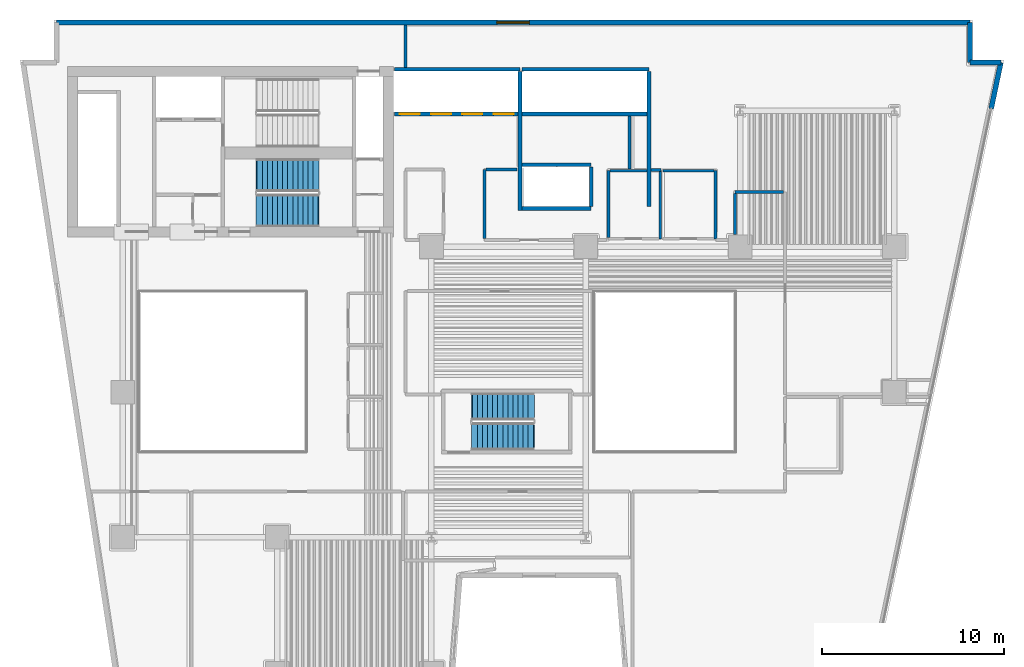
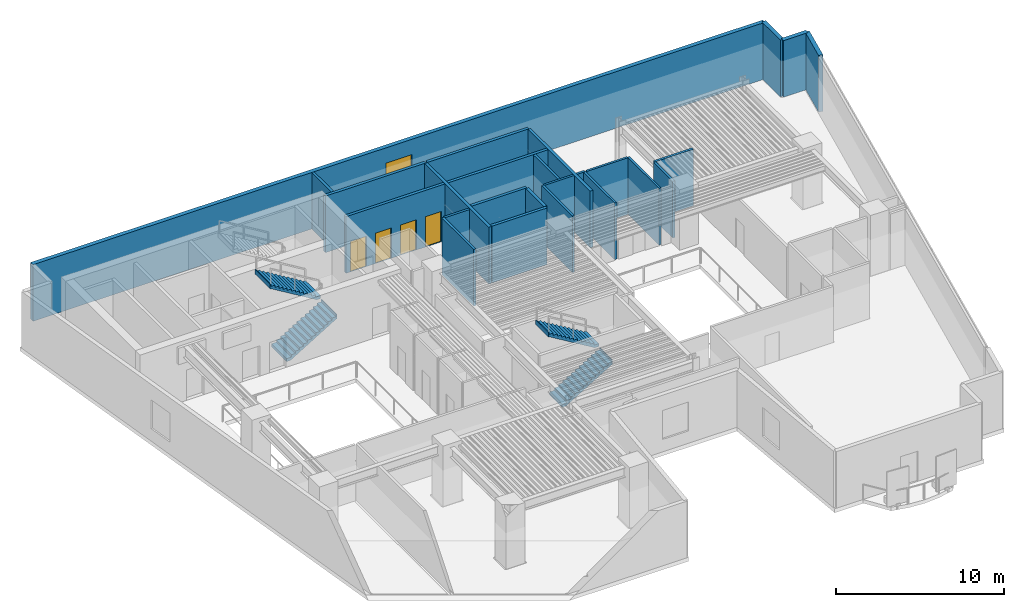
# One storey, part 6 of 12: 25 walls, 4 doors, 4 stair flights, 1 window, 5 openings, 2 elements without a shape of their own.
"""IFC4 building model written with IfcOpenShell, lengths in metres."""

from ifc_helpers import new_model, si_unit, direction, frame, frame_2d, origin, place, context, subcontext, project, spatial, polyline, rectangle, outline, extrude, material, layer, layer_set, type_object, element, fill, aggregate, save


model = new_model("IFC4")

# Units and contexts
model_context = context("Model", 3, precision=1e-05, world=origin(), true_north=direction((0.0, 1.0)))
body_context = subcontext(model_context, "Body", "Model", "MODEL_VIEW")
ifc_project = project(units=[si_unit("LENGTHUNIT", "METRE"), si_unit("AREAUNIT", "SQUARE_METRE"), si_unit("VOLUMEUNIT", "CUBIC_METRE"), si_unit("PLANEANGLEUNIT", "RADIAN"), si_unit("MASSUNIT", "GRAM", prefix="KILO")], contexts=[model_context])

# Site, building, storey
site_placement = place(None, origin())
site = spatial("IfcSite", under=ifc_project, at=site_placement, CompositionType="ELEMENT")
building_placement = place(site_placement, origin())
building = spatial("IfcBuilding", under=site, at=building_placement, Name="Caeloran Harvest Quay", CompositionType="ELEMENT")
storey_placement = place(building_placement, frame((0.0, 0.0, 97.39990234375)))
storey = spatial("IfcBuildingStorey", under=building, at=storey_placement, Name="L22", CompositionType="ELEMENT", Elevation=97.39990234375)

# Wall, opening, window
ifc_material_1 = material(Name="Precast concrete C50/60", Category="concrete")
ifc_layer_1 = layer(ifc_material_1, 0.280029296875, Name="Precast concrete C50/60")
ifc_layer_set_1 = layer_set([ifc_layer_1], Name="Precast concrete C50/60")
wall_type_1 = type_object("IfcWallType", Name="ENV-WALL-EW-280", PredefinedType="STANDARD", material=ifc_layer_set_1)
wall_1_placement = place(storey_placement, frame((4.840087890625, 43.360107421875, 0.0), z_axis=(0.0, 0.0, 1.0), x_axis=(1.0, 0.0, 0.0)))
wall_1 = element("IfcWall", 1, at=wall_1_placement, inside=storey, type_object=wall_type_1, Name="L22 Exterior Precast Concrete Facade Wall 6", PredefinedType="STANDARD", context=body_context, shape_type="SweptSolid", body=[
    extrude(rectangle(XDim=50.31982421875, YDim=0.280029296875, at=frame_2d((25.159912109375, 0.0))), origin(), (0.0, 0.0, 1.0), 4.114990234375),
])
opening_1_placement = place(wall_1_placement, frame((24.260009765625, 0.0, 0.89990234375)))
opening_1 = element("IfcOpeningElement", 2, at=opening_1_placement, cuts=wall_1, Name="Opening W-01", PredefinedType="OPENING", context=body_context, shape_type="SweptSolid", body=[
    extrude(rectangle(XDim=1.800048828125, YDim=2.10009765625, at=frame_2d((0.89990234375, 1.050048828125))), frame((0.0, 0.14990234375, 0.0), z_axis=(0.0, -1.0, 0.0), x_axis=(1.0, 0.0, 0.0)), (0.0, 0.0, 1.0), 0.300048828125),
])
ifc_material_2 = material(Name="Aluminium-Framed Low-E Laminated Glass", Category="aluminium")
window_type = type_object("IfcWindowType", Name="WIN-W-01", PartitioningType="SINGLE_PANEL", PredefinedType="WINDOW", material=ifc_material_2)
window_placement = place(opening_1_placement, origin())
window = element("IfcWindow", 3, at=window_placement, inside=storey, type_object=window_type, Name="L22 Facade Punched Window W-01", OverallHeight=2.10009765625, OverallWidth=1.800048828125, PartitioningType="SINGLE_PANEL", PredefinedType="WINDOW", context=body_context, shape_type="SweptSolid", body=[
    extrude(rectangle(XDim=1.800048828125, YDim=2.10009765625, at=frame_2d((0.89990234375, 1.050048828125))), frame((0.0, 0.030029296875, 0.0), z_axis=(0.0, -1.0, 0.0), x_axis=(1.0, 0.0, 0.0)), (0.0, 0.0, 1.0), 0.06005859375),
])
fill(opening_1, window)

# Walls
wall_2_placement = place(storey_placement, frame((55.159912109375, 43.360107421875, 0.0), z_axis=(0.0, 0.0, 1.0), x_axis=(0.0, -1.0, 0.0)))
element("IfcWall", 4, at=wall_2_placement, inside=storey, type_object=wall_type_1, Name="L22 Exterior Precast Concrete Facade Wall 7", PredefinedType="STANDARD", context=body_context, shape_type="SweptSolid", body=[
    extrude(rectangle(XDim=2.2001953125, YDim=0.280029296875, at=frame_2d((1.10009765625, 0.0))), origin(), (0.0, 0.0, 1.0), 4.114990234375),
])
wall_3_placement = place(storey_placement, frame((55.159912109375, 41.159912109375, 0.0), z_axis=(0.0, 0.0, 1.0), x_axis=(1.0, 0.0, 0.0)))
element("IfcWall", 5, at=wall_3_placement, inside=storey, type_object=wall_type_1, Name="L22 Exterior Precast Concrete Facade Wall 8", PredefinedType="STANDARD", context=body_context, shape_type="SweptSolid", body=[
    extrude(rectangle(XDim=1.705322265625, YDim=0.280029296875, at=frame_2d((0.8525390625, 0.0))), origin(), (0.0, 0.0, 1.0), 4.114990234375),
])
wall_4_placement = place(storey_placement, frame((56.865234375, 41.159912109375, 0.0), z_axis=(0.0, 0.0, 1.0), x_axis=(-0.205551409765, -0.978646319128, 0.0)))
element("IfcWall", 6, at=wall_4_placement, inside=storey, type_object=wall_type_1, Name="L22 Exterior Facade Corner Pier Wall 9A", PredefinedType="STANDARD", context=body_context, shape_type="SweptSolid", body=[
    extrude(rectangle(XDim=2.599853515625, YDim=0.280029296875, at=frame_2d((1.2998046875, 0.0))), origin(), (0.0, 0.0, 1.0), 4.114990234375),
])
ifc_material_3 = material(Name="Autoclaved Aerated Concrete Blockwork and Plasterboard", Category="masonry")
ifc_layer_2 = layer(ifc_material_3, 0.14990234375, Name="Autoclaved Aerated Concrete Blockwork and Plasterboard")
ifc_layer_set_2 = layer_set([ifc_layer_2], Name="Autoclaved Aerated Concrete Blockwork and Plasterboard")
wall_type_2 = type_object("IfcWallType", Name="INT-WALL-PW-150", PredefinedType="PARTITIONING", material=ifc_layer_set_2)
wall_5_placement = place(storey_placement, frame((38.10009765625, 35.199951171875, 0.0), z_axis=(0.0, 0.0, 1.0), x_axis=(0.0, -1.0, 0.0)))
element("IfcWall", 7, at=wall_5_placement, inside=storey, type_object=wall_type_2, Name="L22 Core Telemetry West Room Partition Wall", PredefinedType="PARTITIONING", context=body_context, shape_type="SweptSolid", body=[
    extrude(rectangle(XDim=3.75, YDim=0.14990234375, at=frame_2d((1.875, 0.0))), origin(), (0.0, 0.0, 1.0), 4.114990234375),
])
wall_6_placement = place(storey_placement, frame((35.25, 31.530029296875, 0.0), z_axis=(0.0, 0.0, 1.0), x_axis=(0.0, 1.0, 0.0)))
element("IfcWall", 8, at=wall_6_placement, inside=storey, type_object=wall_type_2, Name="L22 Core Telemetry West Room Partition Wall", PredefinedType="PARTITIONING", context=body_context, shape_type="SweptSolid", body=[
    extrude(rectangle(XDim=3.669921875, YDim=0.14990234375, at=frame_2d((1.8349609375, 0.0))), origin(), (0.0, 0.0, 1.0), 4.114990234375),
])
wall_7_placement = place(storey_placement, frame((35.330078125, 35.199951171875, 0.0), z_axis=(0.0, 0.0, 1.0), x_axis=(1.0, 0.0, 0.0)))
element("IfcWall", 9, at=wall_7_placement, inside=storey, type_object=wall_type_2, Name="L22 Core Telemetry West Room Partition Wall", PredefinedType="PARTITIONING", context=body_context, shape_type="SweptSolid", body=[
    extrude(rectangle(XDim=2.044921875, YDim=0.14990234375, at=frame_2d((1.0224609375, 0.0))), origin(), (0.0, 0.0, 1.0), 4.114990234375),
])
wall_8_placement = place(storey_placement, frame((41.14990234375, 35.199951171875, 0.0), z_axis=(0.0, 0.0, 1.0), x_axis=(0.0, -1.0, 0.0)))
element("IfcWall", 10, at=wall_8_placement, inside=storey, type_object=wall_type_2, Name="L22 Core Metering East Room Partition Wall", PredefinedType="PARTITIONING", context=body_context, shape_type="SweptSolid", body=[
    extrude(rectangle(XDim=3.75, YDim=0.14990234375, at=frame_2d((1.875, 0.0))), origin(), (0.0, 0.0, 1.0), 4.114990234375),
])
wall_9_placement = place(storey_placement, frame((38.25, 35.199951171875, 0.0), z_axis=(0.0, 0.0, 1.0), x_axis=(1.0, 0.0, 0.0)))
element("IfcWall", 11, at=wall_9_placement, inside=storey, type_object=wall_type_2, Name="L22 Core Metering East Room Partition Wall", PredefinedType="PARTITIONING", context=body_context, shape_type="SweptSolid", body=[
    extrude(rectangle(XDim=2.820068359375, YDim=0.14990234375, at=frame_2d((1.41015625, 0.0))), origin(), (0.0, 0.0, 1.0), 4.114990234375),
])
ifc_material_4 = material(Name="Autoclaved Aerated Concrete Blockwork", Category="masonry")
ifc_layer_3 = layer(ifc_material_4, 0.1650390625, Name="Autoclaved Aerated Concrete Blockwork")
ifc_layer_set_3 = layer_set([ifc_layer_3], Name="Autoclaved Aerated Concrete Blockwork")
wall_type_3 = type_object("IfcWallType", Name="INT-WALL-PW-165", PredefinedType="PARTITIONING", material=ifc_layer_set_3)
wall_10_placement = place(storey_placement, frame((36.419921875, 38.215087890625, 0.0), z_axis=(0.0, 0.0, 1.0), x_axis=(0.0, -1.0, 0.0)))
element("IfcWall", 12, at=wall_10_placement, inside=storey, type_object=wall_type_3, Name="Executive Agronomy Design Studio 8 Partition Wall", PredefinedType="PARTITIONING", context=body_context, shape_type="SweptSolid", body=[
    extrude(rectangle(XDim=2.93505859375, YDim=0.1650390625, at=frame_2d((1.467529296875, 0.0))), origin(), (0.0, 0.0, 1.0), 4.114990234375),
])
wall_11_placement = place(storey_placement, frame((28.429931640625, 31.467529296875, 0.0), z_axis=(0.0, 0.0, 1.0), x_axis=(0.0, 1.0, 0.0)))
element("IfcWall", 13, at=wall_11_placement, inside=storey, type_object=wall_type_3, Name="Executive Agronomy Design Studio 8 Partition Wall", PredefinedType="PARTITIONING", context=body_context, shape_type="SweptSolid", body=[
    extrude(rectangle(XDim=3.802490234375, YDim=0.1650390625, at=frame_2d((1.9013671875, 0.0))), origin(), (0.0, 0.0, 1.0), 4.114990234375),
])
wall_12_placement = place(storey_placement, frame((28.517578125, 35.27001953125, 0.0), z_axis=(0.0, 0.0, 1.0), x_axis=(1.0, 0.0, 0.0)))
element("IfcWall", 14, at=wall_12_placement, inside=storey, type_object=wall_type_3, Name="Executive Agronomy Design Studio 8 Partition Wall", PredefinedType="PARTITIONING", context=body_context, shape_type="SweptSolid", body=[
    extrude(rectangle(XDim=1.702392578125, YDim=0.1650390625, at=frame_2d((0.85107421875, 0.0))), origin(), (0.0, 0.0, 1.0), 4.114990234375),
])
wall_13_placement = place(storey_placement, frame((24.080078125, 40.885009765625, 0.0), z_axis=(0.0, 0.0, 1.0), x_axis=(0.0, 1.0, 0.0)))
element("IfcWall", 15, at=wall_13_placement, inside=storey, type_object=wall_type_3, Name="Regional Food Policy Boardroom 9 Partition Wall", PredefinedType="PARTITIONING", context=body_context, shape_type="SweptSolid", body=[
    extrude(rectangle(XDim=2.330078125, YDim=0.1650390625, at=frame_2d((1.1650390625, 0.0))), origin(), (0.0, 0.0, 1.0), 4.114990234375),
])
wall_14_placement = place(storey_placement, frame((44.892578125, 34.030029296875, 0.0), z_axis=(0.0, 0.0, 1.0), x_axis=(-1.0, 0.0, 0.0)))
element("IfcWall", 16, at=wall_14_placement, inside=storey, type_object=wall_type_3, Name="Regional Food Policy Boardroom 9 Partition Wall", PredefinedType="PARTITIONING", context=body_context, shape_type="SweptSolid", body=[
    extrude(rectangle(XDim=2.672607421875, YDim=0.1650390625, at=frame_2d((1.33642578125, 0.0))), origin(), (0.0, 0.0, 1.0), 4.114990234375),
])
wall_15_placement = place(storey_placement, frame((42.219970703125, 33.9423828125, 0.0), z_axis=(0.0, 0.0, 1.0), x_axis=(0.0, -1.0, 0.0)))
element("IfcWall", 17, at=wall_15_placement, inside=storey, type_object=wall_type_3, Name="Regional Food Policy Boardroom 9 Partition Wall", PredefinedType="PARTITIONING", context=body_context, shape_type="SweptSolid", body=[
    extrude(rectangle(XDim=2.267333984375, YDim=0.1650390625, at=frame_2d((1.1337890625, 0.0))), origin(), (0.0, 0.0, 1.0), 4.114990234375),
])
wall_16_placement = place(storey_placement, frame((38.155517578125, 35.22998046875, 0.0), z_axis=(0.0, 0.0, 1.0), x_axis=(-1.0, 0.0, 0.0)))
element("IfcWall", 18, at=wall_16_placement, inside=storey, type_object=wall_type_3, Name="Regional Food Policy Boardroom 9 Partition Wall", PredefinedType="PARTITIONING", context=body_context, shape_type="SweptSolid", body=[
    extrude(rectangle(XDim=0.570556640625, YDim=0.1650390625, at=frame_2d((0.28515625, 0.0))), origin(), (0.0, 0.0, 1.0), 4.114990234375),
])
ifc_material_5 = material(Name="Concrete C50/60", Category="concrete")
ifc_layer_4 = layer(ifc_material_5, 0.199951171875, Name="Concrete C50/60")
ifc_layer_set_4 = layer_set([ifc_layer_4], Name="Concrete C50/60")
wall_type_4 = type_object("IfcWallType", Name="INT-WALL-SW-200", PredefinedType="PARTITIONING", material=ifc_layer_set_4)
wall_17_placement = place(storey_placement, frame((23.469970703125, 40.780029296875, 0.0), z_axis=(0.0, 0.0, 1.0), x_axis=(1.0, 0.0, 0.0)))
element("IfcWall", 19, at=wall_17_placement, inside=storey, type_object=wall_type_4, Name="L22 Bank 1 Lift Shaft North Wall", PredefinedType="PARTITIONING", context=body_context, shape_type="SweptSolid", body=[
    extrude(rectangle(XDim=6.909912109375, YDim=0.199951171875, at=frame_2d((3.455078125, 0.0))), origin(), (0.0, 0.0, 1.0), 4.114990234375),
])
wall_18_placement = place(storey_placement, frame((30.3798828125, 33.02001953125, 0.0), z_axis=(0.0, 0.0, 1.0), x_axis=(0.0, 1.0, 0.0)))
element("IfcWall", 20, at=wall_18_placement, inside=storey, type_object=wall_type_4, Name="L22 Bank 1 Lift Shaft East Wall", PredefinedType="PARTITIONING", context=body_context, shape_type="SweptSolid", body=[
    extrude(rectangle(XDim=7.639892578125, YDim=0.199951171875, at=frame_2d((3.81982421875, 0.0))), origin(), (0.0, 0.0, 1.0), 4.114990234375),
])

# Wall, openings, doors
wall_19_placement = place(storey_placement, frame((23.469970703125, 38.320068359375, 0.0), z_axis=(0.0, 0.0, 1.0), x_axis=(1.0, 0.0, 0.0)))
wall_19 = element("IfcWall", 21, at=wall_19_placement, inside=storey, type_object=wall_type_4, Name="L22 Bank 1 Lift Landing Front Wall", PredefinedType="PARTITIONING", context=body_context, shape_type="SweptSolid", body=[
    extrude(rectangle(XDim=6.7900390625, YDim=0.199951171875, at=frame_2d((3.39501953125, 0.0))), origin(), (0.0, 0.0, 1.0), 4.114990234375),
])
opening_2_placement = place(wall_19_placement, frame((0.2900390625, 0.0, 0.0)))
opening_2 = element("IfcOpeningElement", 22, at=opening_2_placement, cuts=wall_19, Name="Opening LD-01", PredefinedType="OPENING", context=body_context, shape_type="SweptSolid", body=[
    extrude(rectangle(XDim=1.10009765625, YDim=2.199951171875, at=frame_2d((0.550048828125, 1.10009765625))), frame((0.0, 0.10986328125, 0.0), z_axis=(0.0, -1.0, 0.0), x_axis=(1.0, 0.0, 0.0)), (0.0, 0.0, 1.0), 0.219970703125),
])
opening_3_placement = place(wall_19_placement, frame((2.010009765625, 0.0, 0.0)))
opening_3 = element("IfcOpeningElement", 23, at=opening_3_placement, cuts=wall_19, Name="Opening LD-01", PredefinedType="OPENING", context=body_context, shape_type="SweptSolid", body=[
    extrude(rectangle(XDim=1.10009765625, YDim=2.199951171875, at=frame_2d((0.550048828125, 1.10009765625))), frame((0.0, 0.10986328125, 0.0), z_axis=(0.0, -1.0, 0.0), x_axis=(1.0, 0.0, 0.0)), (0.0, 0.0, 1.0), 0.219970703125),
])
opening_4_placement = place(wall_19_placement, frame((3.72998046875, 0.0, 0.0)))
opening_4 = element("IfcOpeningElement", 24, at=opening_4_placement, cuts=wall_19, Name="Opening LD-01", PredefinedType="OPENING", context=body_context, shape_type="SweptSolid", body=[
    extrude(rectangle(XDim=1.10009765625, YDim=2.199951171875, at=frame_2d((0.550048828125, 1.10009765625))), frame((0.0, 0.10986328125, 0.0), z_axis=(0.0, -1.0, 0.0), x_axis=(1.0, 0.0, 0.0)), (0.0, 0.0, 1.0), 0.219970703125),
])
opening_5_placement = place(wall_19_placement, frame((5.449951171875, 0.0, 0.0)))
opening_5 = element("IfcOpeningElement", 25, at=opening_5_placement, cuts=wall_19, Name="Opening LD-01", PredefinedType="OPENING", context=body_context, shape_type="SweptSolid", body=[
    extrude(rectangle(XDim=1.10009765625, YDim=2.199951171875, at=frame_2d((0.550048828125, 1.10009765625))), frame((0.0, 0.10986328125, 0.0), z_axis=(0.0, -1.0, 0.0), x_axis=(1.0, 0.0, 0.0)), (0.0, 0.0, 1.0), 0.219970703125),
])
ifc_material_6 = material(Name="Stainless Steel Grade 316", Category="steel")
door_type = type_object("IfcDoorType", Name="INTDOOR-LD-01", OperationType="NOTDEFINED", PredefinedType="DOOR", material=ifc_material_6)
door_1_placement = place(opening_2_placement, origin())
door_1 = element("IfcDoor", 26, at=door_1_placement, inside=storey, type_object=door_type, Name="Lift P1-1 Sliding Landing Door (L22)", OperationType="DOUBLE_DOOR_SLIDING", OverallHeight=2.199951171875, OverallWidth=1.10009765625, PredefinedType="DOOR", context=body_context, shape_type="SweptSolid", body=[
    extrude(rectangle(XDim=1.10009765625, YDim=2.199951171875, at=frame_2d((0.550048828125, 1.10009765625))), frame((0.0, 0.02490234375, 0.0), z_axis=(0.0, -1.0, 0.0), x_axis=(1.0, 0.0, 0.0)), (0.0, 0.0, 1.0), 0.050048828125),
])
fill(opening_2, door_1)
door_2_placement = place(opening_3_placement, origin())
door_2 = element("IfcDoor", 27, at=door_2_placement, inside=storey, type_object=door_type, Name="Lift P1-2 Sliding Landing Door (L22)", OperationType="DOUBLE_DOOR_SLIDING", OverallHeight=2.199951171875, OverallWidth=1.10009765625, PredefinedType="DOOR", context=body_context, shape_type="SweptSolid", body=[
    extrude(rectangle(XDim=1.10009765625, YDim=2.199951171875, at=frame_2d((0.550048828125, 1.10009765625))), frame((0.0, 0.02490234375, 0.0), z_axis=(0.0, -1.0, 0.0), x_axis=(1.0, 0.0, 0.0)), (0.0, 0.0, 1.0), 0.050048828125),
])
fill(opening_3, door_2)
door_3_placement = place(opening_4_placement, origin())
door_3 = element("IfcDoor", 28, at=door_3_placement, inside=storey, type_object=door_type, Name="Lift P1-3 Sliding Landing Door (L22)", OperationType="DOUBLE_DOOR_SLIDING", OverallHeight=2.199951171875, OverallWidth=1.10009765625, PredefinedType="DOOR", context=body_context, shape_type="SweptSolid", body=[
    extrude(rectangle(XDim=1.10009765625, YDim=2.199951171875, at=frame_2d((0.550048828125, 1.10009765625))), frame((0.0, 0.02490234375, 0.0), z_axis=(0.0, -1.0, 0.0), x_axis=(1.0, 0.0, 0.0)), (0.0, 0.0, 1.0), 0.050048828125),
])
fill(opening_4, door_3)
door_4_placement = place(opening_5_placement, origin())
door_4 = element("IfcDoor", 29, at=door_4_placement, inside=storey, type_object=door_type, Name="Lift P1-4 Sliding Landing Door (L22)", OperationType="DOUBLE_DOOR_SLIDING", OverallHeight=2.199951171875, OverallWidth=1.10009765625, PredefinedType="DOOR", context=body_context, shape_type="SweptSolid", body=[
    extrude(rectangle(XDim=1.10009765625, YDim=2.199951171875, at=frame_2d((0.550048828125, 1.10009765625))), frame((0.0, 0.02490234375, 0.0), z_axis=(0.0, -1.0, 0.0), x_axis=(1.0, 0.0, 0.0)), (0.0, 0.0, 1.0), 0.050048828125),
])
fill(opening_5, door_4)

# Walls
wall_20_placement = place(storey_placement, frame((30.5, 40.780029296875, 0.0), z_axis=(0.0, 0.0, 1.0), x_axis=(1.0, 0.0, 0.0)))
element("IfcWall", 30, at=wall_20_placement, inside=storey, type_object=wall_type_4, Name="L22 Bank 2 Lift Shaft North Wall", PredefinedType="PARTITIONING", context=body_context, shape_type="SweptSolid", body=[
    extrude(rectangle(XDim=6.97998046875, YDim=0.199951171875, at=frame_2d((3.489990234375, 0.0))), origin(), (0.0, 0.0, 1.0), 4.114990234375),
])
wall_21_placement = place(storey_placement, frame((37.47998046875, 33.239990234375, 0.0), z_axis=(0.0, 0.0, 1.0), x_axis=(0.0, 1.0, 0.0)))
element("IfcWall", 31, at=wall_21_placement, inside=storey, type_object=wall_type_4, Name="L22 Bank 2 Lift Shaft East Wall", PredefinedType="PARTITIONING", context=body_context, shape_type="SweptSolid", body=[
    extrude(rectangle(XDim=7.419921875, YDim=0.199951171875, at=frame_2d((3.7099609375, 0.0))), origin(), (0.0, 0.0, 1.0), 4.114990234375),
])
wall_22_placement = place(storey_placement, frame((30.5, 38.320068359375, 0.0), z_axis=(0.0, 0.0, 1.0), x_axis=(1.0, 0.0, 0.0)))
element("IfcWall", 32, at=wall_22_placement, inside=storey, type_object=wall_type_4, Name="L22 Bank 2 Lift Landing Front Wall", PredefinedType="PARTITIONING", context=body_context, shape_type="SweptSolid", body=[
    extrude(rectangle(XDim=6.860107421875, YDim=0.199951171875, at=frame_2d((3.43017578125, 0.0))), origin(), (0.0, 0.0, 1.0), 4.114990234375),
])
for number, where, z_axis, x_axis, name in (
    (33, (30.5, 35.530029296875, 0.0), (0.0, 0.0, 1.0), (1.0, 0.0, 0.0), "L22 Shuttle Lift Landing Front Wall"),
    (34, (30.5, 33.1201171875, 0.0), (0.0, 0.0, 1.0), (1.0, 0.0, 0.0), "L22 Shuttle Lift Shaft South Wall"),
):
    element("IfcWall", number, at=place(storey_placement, frame(where, z_axis=z_axis, x_axis=x_axis)), inside=storey, type_object=wall_type_4, Name=name, PredefinedType="PARTITIONING", context=body_context, shape_type="SweptSolid", body=[
        extrude(rectangle(XDim=3.800048828125, YDim=0.199951171875, at=frame_2d((1.89990234375, 0.0))), origin(), (0.0, 0.0, 1.0), 4.114990234375),
    ])
wall_23_placement = place(storey_placement, frame((34.300048828125, 33.239990234375, 0.0), z_axis=(0.0, 0.0, 1.0), x_axis=(0.0, 1.0, 0.0)))
element("IfcWall", 35, at=wall_23_placement, inside=storey, type_object=wall_type_4, Name="L22 Shuttle Lift Shaft East Wall", PredefinedType="PARTITIONING", context=body_context, shape_type="SweptSolid", body=[
    extrude(rectangle(XDim=2.169921875, YDim=0.199951171875, at=frame_2d((1.0849609375, 0.0))), origin(), (0.0, 0.0, 1.0), 4.114990234375),
])

# Stair, stair flights
stair_type_1 = type_object("IfcStairType", Name="STAIR-STC-180", PredefinedType="HALF_TURN_STAIR", material=ifc_material_5)
stair_1_placement = place(storey_placement, origin())
stair_1 = element("IfcStair", 36, at=stair_1_placement, inside=storey, type_object=stair_type_1, Name="L22 Core Pressurized Exit Stair ST-C2", PredefinedType="HALF_TURN_STAIR")
stair_flight_type_1 = type_object("IfcStairFlightType", Name="FLIGHT-STC-180", PredefinedType="STRAIGHT", material=ifc_material_5)
stair_flight_1_placement = place(storey_placement, frame((15.89990234375, 33.0, 0.0), z_axis=(0.0, 0.0, 1.0), x_axis=(1.0, 0.0, 0.0)))
stair_flight_1 = element("IfcStairFlight", 37, at=stair_flight_1_placement, type_object=stair_flight_type_1, Name="ST-C2 flight 1", NumberOfRisers=13, NumberOfTreads=12, PredefinedType="STRAIGHT", RiserHeight=0.169230769, TreadLength=0.28, context=body_context, shape_type="SweptSolid", body=[
    extrude(outline(polyline([(-0.054931640625, -0.044921875), (-0.054931640625, -0.031494140625), (-0.054931640625, -0.018310546875), (-0.054931640625, -0.0048828125), (-0.054931640625, 0.008544921875), (-0.054931640625, 0.02197265625), (-0.054931640625, 0.035400390625), (-0.054931640625, 0.048828125), (-0.054931640625, 0.06201171875), (-0.054931640625, 0.075439453125), (-0.054931640625, 0.0888671875), (-0.054931640625, 0.102294921875), (-0.054931640625, 0.11572265625), (-0.054931640625, 0.129150390625), (-0.054931640625, 0.142333984375), (-0.054931640625, 0.15576171875), (-0.054931640625, 0.169189453125), (0.280029296875, 0.169189453125), (0.280029296875, 0.33837890625), (0.56005859375, 0.33837890625), (0.56005859375, 0.5078125), (0.840087890625, 0.5078125), (0.840087890625, 0.677001953125), (1.1201171875, 0.677001953125), (1.1201171875, 0.84619140625), (1.39990234375, 0.84619140625), (1.39990234375, 1.015380859375), (1.679931640625, 1.015380859375), (1.679931640625, 1.1845703125), (1.9599609375, 1.1845703125), (1.9599609375, 1.353759765625), (2.239990234375, 1.353759765625), (2.239990234375, 1.523193359375), (2.52001953125, 1.523193359375), (2.52001953125, 1.6923828125), (2.800048828125, 1.6923828125), (2.800048828125, 1.861572265625), (3.080078125, 1.861572265625), (3.080078125, 2.03076171875), (3.360107421875, 2.03076171875), (3.360107421875, 2.199951171875), (3.4150390625, 2.199951171875), (3.4150390625, 2.178466796875), (3.4150390625, 2.156982421875), (3.4150390625, 2.135498046875), (3.4150390625, 2.114013671875), (3.4150390625, 2.09228515625), (3.4150390625, 2.07080078125), (3.4150390625, 2.04931640625), (3.4150390625, 2.02783203125), (3.4150390625, 2.00634765625), (3.4150390625, 1.98486328125), (3.4150390625, 1.963134765625), (3.4150390625, 1.941650390625), (3.4150390625, 1.920166015625), (3.4150390625, 1.898681640625), (3.4150390625, 1.877197265625), (3.4150390625, 1.855712890625), (3.360107421875, 1.855712890625), (0.21533203125, -0.044921875), (-0.054931640625, -0.044921875)])), frame((0.0, 0.89990234375, 0.0), z_axis=(0.0, -1.0, 0.0), x_axis=(1.0, 0.0, 0.0)), (0.0, 0.0, 1.0), 1.800048828125),
])
stair_flight_2_placement = place(storey_placement, frame((19.260009765625, 34.949951171875, 2.2001953125), z_axis=(0.0, 0.0, 1.0), x_axis=(-1.0, 0.0, 0.0)))
stair_flight_2 = element("IfcStairFlight", 38, at=stair_flight_2_placement, type_object=stair_flight_type_1, Name="ST-C2 flight 2", NumberOfRisers=13, NumberOfTreads=12, PredefinedType="STRAIGHT", RiserHeight=0.169230769, TreadLength=0.28, context=body_context, shape_type="SweptSolid", body=[
    extrude(outline(polyline([(-0.054931640625, -0.044921875), (-0.054931640625, -0.031494140625), (-0.054931640625, -0.018310546875), (-0.054931640625, -0.0048828125), (-0.054931640625, 0.008544921875), (-0.054931640625, 0.02197265625), (-0.054931640625, 0.035400390625), (-0.054931640625, 0.048828125), (-0.054931640625, 0.06201171875), (-0.054931640625, 0.075439453125), (-0.054931640625, 0.0888671875), (-0.054931640625, 0.102294921875), (-0.054931640625, 0.11572265625), (-0.054931640625, 0.129150390625), (-0.054931640625, 0.142333984375), (-0.054931640625, 0.15576171875), (-0.054931640625, 0.169189453125), (0.280029296875, 0.169189453125), (0.280029296875, 0.33837890625), (0.56005859375, 0.33837890625), (0.56005859375, 0.5078125), (0.840087890625, 0.5078125), (0.840087890625, 0.677001953125), (1.1201171875, 0.677001953125), (1.1201171875, 0.84619140625), (1.39990234375, 0.84619140625), (1.39990234375, 1.015380859375), (1.679931640625, 1.015380859375), (1.679931640625, 1.1845703125), (1.9599609375, 1.1845703125), (1.9599609375, 1.353759765625), (2.239990234375, 1.353759765625), (2.239990234375, 1.523193359375), (2.52001953125, 1.523193359375), (2.52001953125, 1.6923828125), (2.800048828125, 1.6923828125), (2.800048828125, 1.861572265625), (3.080078125, 1.861572265625), (3.080078125, 2.03076171875), (3.360107421875, 2.03076171875), (3.360107421875, 2.199951171875), (3.4150390625, 2.199951171875), (3.4150390625, 2.178466796875), (3.4150390625, 2.156982421875), (3.4150390625, 2.135498046875), (3.4150390625, 2.114013671875), (3.4150390625, 2.09228515625), (3.4150390625, 2.07080078125), (3.4150390625, 2.04931640625), (3.4150390625, 2.02783203125), (3.4150390625, 2.00634765625), (3.4150390625, 1.98486328125), (3.4150390625, 1.963134765625), (3.4150390625, 1.941650390625), (3.4150390625, 1.920166015625), (3.4150390625, 1.898681640625), (3.4150390625, 1.877197265625), (3.4150390625, 1.855712890625), (3.360107421875, 1.855712890625), (0.21533203125, -0.044921875), (-0.054931640625, -0.044921875)])), frame((0.0, 0.89990234375, 0.0), z_axis=(0.0, -1.0, 0.0), x_axis=(1.0, 0.0, 0.0)), (0.0, 0.0, 1.0), 1.800048828125),
])
aggregate(stair_1, [stair_flight_1, stair_flight_2])

stair_type_2 = type_object("IfcStairType", Name="STAIR-STW-150", PredefinedType="HALF_TURN_STAIR", material=ifc_material_5)
stair_2_placement = place(storey_placement, origin())
stair_2 = element("IfcStair", 39, at=stair_2_placement, inside=storey, type_object=stair_type_2, Name="L22 East Wing Protected Exit Stair ST-W1", PredefinedType="HALF_TURN_STAIR")
stair_flight_type_2 = type_object("IfcStairFlightType", Name="FLIGHT-STW-150", PredefinedType="STRAIGHT", material=ifc_material_5)
stair_flight_3_placement = place(storey_placement, frame((27.75, 20.550048828125, 0.0), z_axis=(0.0, 0.0, 1.0), x_axis=(1.0, 0.0, 0.0)))
stair_flight_3 = element("IfcStairFlight", 40, at=stair_flight_3_placement, type_object=stair_flight_type_2, Name="ST-W1 flight 1", NumberOfRisers=13, NumberOfTreads=12, PredefinedType="STRAIGHT", RiserHeight=0.169230769, TreadLength=0.28, context=body_context, shape_type="SweptSolid", body=[
    extrude(outline(polyline([(-0.054931640625, -0.044921875), (-0.054931640625, -0.031494140625), (-0.054931640625, -0.018310546875), (-0.054931640625, -0.0048828125), (-0.054931640625, 0.008544921875), (-0.054931640625, 0.02197265625), (-0.054931640625, 0.035400390625), (-0.054931640625, 0.048828125), (-0.054931640625, 0.06201171875), (-0.054931640625, 0.075439453125), (-0.054931640625, 0.0888671875), (-0.054931640625, 0.102294921875), (-0.054931640625, 0.11572265625), (-0.054931640625, 0.129150390625), (-0.054931640625, 0.142333984375), (-0.054931640625, 0.15576171875), (-0.054931640625, 0.169189453125), (0.280029296875, 0.169189453125), (0.280029296875, 0.33837890625), (0.56005859375, 0.33837890625), (0.56005859375, 0.5078125), (0.840087890625, 0.5078125), (0.840087890625, 0.677001953125), (1.1201171875, 0.677001953125), (1.1201171875, 0.84619140625), (1.39990234375, 0.84619140625), (1.39990234375, 1.015380859375), (1.679931640625, 1.015380859375), (1.679931640625, 1.1845703125), (1.9599609375, 1.1845703125), (1.9599609375, 1.353759765625), (2.239990234375, 1.353759765625), (2.239990234375, 1.523193359375), (2.52001953125, 1.523193359375), (2.52001953125, 1.6923828125), (2.800048828125, 1.6923828125), (2.800048828125, 1.861572265625), (3.080078125, 1.861572265625), (3.080078125, 2.03076171875), (3.360107421875, 2.03076171875), (3.360107421875, 2.199951171875), (3.4150390625, 2.199951171875), (3.4150390625, 2.178466796875), (3.4150390625, 2.156982421875), (3.4150390625, 2.135498046875), (3.4150390625, 2.114013671875), (3.4150390625, 2.09228515625), (3.4150390625, 2.07080078125), (3.4150390625, 2.04931640625), (3.4150390625, 2.02783203125), (3.4150390625, 2.00634765625), (3.4150390625, 1.98486328125), (3.4150390625, 1.963134765625), (3.4150390625, 1.941650390625), (3.4150390625, 1.920166015625), (3.4150390625, 1.898681640625), (3.4150390625, 1.877197265625), (3.4150390625, 1.855712890625), (3.360107421875, 1.855712890625), (0.21533203125, -0.044921875), (-0.054931640625, -0.044921875)])), frame((0.0, 0.75, 0.0), z_axis=(0.0, -1.0, 0.0), x_axis=(1.0, 0.0, 0.0)), (0.0, 0.0, 1.0), 1.5),
])
stair_flight_4_placement = place(storey_placement, frame((31.110107421875, 22.199951171875, 2.2001953125), z_axis=(0.0, 0.0, 1.0), x_axis=(-1.0, 0.0, 0.0)))
stair_flight_4 = element("IfcStairFlight", 41, at=stair_flight_4_placement, type_object=stair_flight_type_2, Name="ST-W1 flight 2", NumberOfRisers=13, NumberOfTreads=12, PredefinedType="STRAIGHT", RiserHeight=0.169230769, TreadLength=0.28, context=body_context, shape_type="SweptSolid", body=[
    extrude(outline(polyline([(-0.054931640625, -0.044921875), (-0.054931640625, -0.031494140625), (-0.054931640625, -0.018310546875), (-0.054931640625, -0.0048828125), (-0.054931640625, 0.008544921875), (-0.054931640625, 0.02197265625), (-0.054931640625, 0.035400390625), (-0.054931640625, 0.048828125), (-0.054931640625, 0.06201171875), (-0.054931640625, 0.075439453125), (-0.054931640625, 0.0888671875), (-0.054931640625, 0.102294921875), (-0.054931640625, 0.11572265625), (-0.054931640625, 0.129150390625), (-0.054931640625, 0.142333984375), (-0.054931640625, 0.15576171875), (-0.054931640625, 0.169189453125), (0.280029296875, 0.169189453125), (0.280029296875, 0.33837890625), (0.56005859375, 0.33837890625), (0.56005859375, 0.5078125), (0.840087890625, 0.5078125), (0.840087890625, 0.677001953125), (1.1201171875, 0.677001953125), (1.1201171875, 0.84619140625), (1.39990234375, 0.84619140625), (1.39990234375, 1.015380859375), (1.679931640625, 1.015380859375), (1.679931640625, 1.1845703125), (1.9599609375, 1.1845703125), (1.9599609375, 1.353759765625), (2.239990234375, 1.353759765625), (2.239990234375, 1.523193359375), (2.52001953125, 1.523193359375), (2.52001953125, 1.6923828125), (2.800048828125, 1.6923828125), (2.800048828125, 1.861572265625), (3.080078125, 1.861572265625), (3.080078125, 2.03076171875), (3.360107421875, 2.03076171875), (3.360107421875, 2.199951171875), (3.4150390625, 2.199951171875), (3.4150390625, 2.178466796875), (3.4150390625, 2.156982421875), (3.4150390625, 2.135498046875), (3.4150390625, 2.114013671875), (3.4150390625, 2.09228515625), (3.4150390625, 2.07080078125), (3.4150390625, 2.04931640625), (3.4150390625, 2.02783203125), (3.4150390625, 2.00634765625), (3.4150390625, 1.98486328125), (3.4150390625, 1.963134765625), (3.4150390625, 1.941650390625), (3.4150390625, 1.920166015625), (3.4150390625, 1.898681640625), (3.4150390625, 1.877197265625), (3.4150390625, 1.855712890625), (3.360107421875, 1.855712890625), (0.21533203125, -0.044921875), (-0.054931640625, -0.044921875)])), frame((0.0, 0.75, 0.0), z_axis=(0.0, -1.0, 0.0), x_axis=(1.0, 0.0, 0.0)), (0.0, 0.0, 1.0), 1.5),
])
aggregate(stair_2, [stair_flight_3, stair_flight_4])

save(model, "model.ifc")
